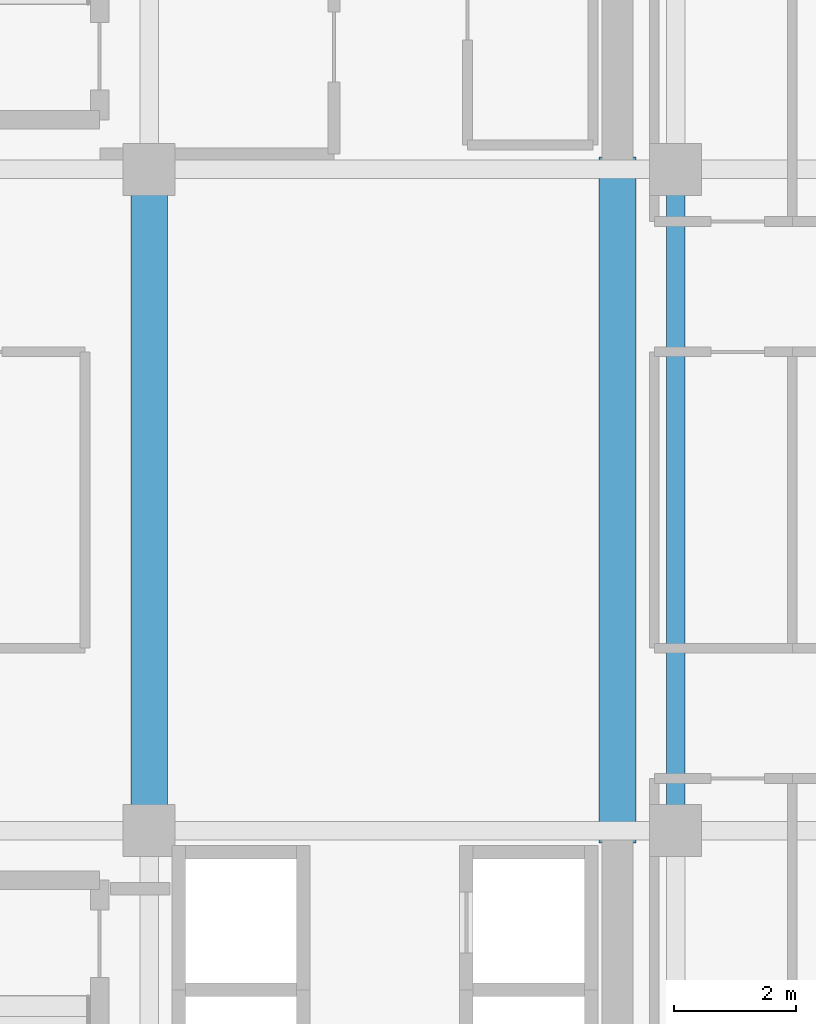
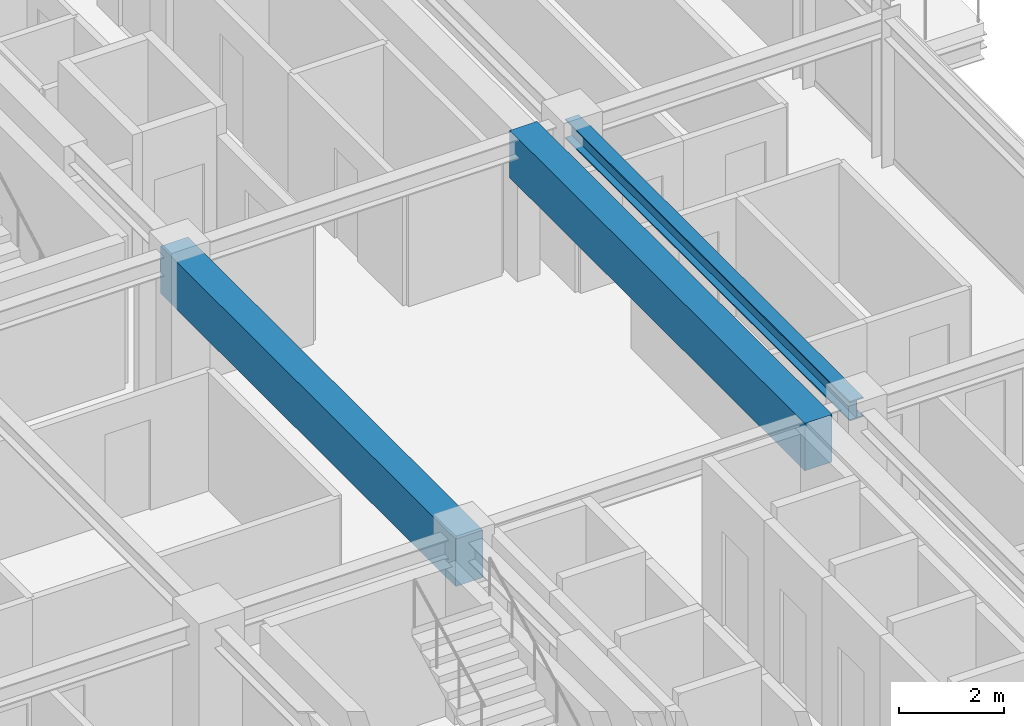
# One storey, part 16 of 34: 3 beams.
"""IFC4 building model written with IfcOpenShell, lengths in metres."""

from ifc_helpers import new_model, si_unit, direction, frame, origin, origin_2d, place, context, subcontext, project, spatial, rectangle, i_section, extrude, source, transform, mapped, material, material_profile, profile_set, type_object, element, save


model = new_model("IFC4")

# Units and contexts
model_context = context("Model", 3, precision=1e-05, world=origin(), true_north=direction((0.0, 1.0)))
body_context = subcontext(model_context, "Body", "Model", "MODEL_VIEW")
ifc_project = project(units=[si_unit("LENGTHUNIT", "METRE"), si_unit("AREAUNIT", "SQUARE_METRE"), si_unit("VOLUMEUNIT", "CUBIC_METRE"), si_unit("PLANEANGLEUNIT", "RADIAN"), si_unit("MASSUNIT", "GRAM", prefix="KILO")], contexts=[model_context])

# Site, building, storey
site_placement = place(None, origin())
site = spatial("IfcSite", under=ifc_project, at=site_placement, CompositionType="ELEMENT")
building_placement = place(site_placement, origin())
building = spatial("IfcBuilding", under=site, at=building_placement, Name="Nahalor Promenade Grand Hotel", CompositionType="ELEMENT")
storey_placement = place(building_placement, frame((0.0, 0.0, 208.60009765625)))
storey = spatial("IfcBuildingStorey", under=building, at=storey_placement, Name="L53", CompositionType="ELEMENT", Elevation=208.60009765625)

# Beams
ifc_material_1 = material(Name="Concrete B-60 (C50/60)", Category="concrete")
ifc_material_profile_1 = material_profile(ifc_material_1, rectangle(XDim=0.6, YDim=1.1, at=origin_2d()), Name="RC 600x1100")
ifc_profile_set_1 = profile_set([ifc_material_profile_1], Name="Concrete B-60 (C50/60)")
beam_type_1 = type_object("IfcBeamType", Name="Beam-Lintel-RC1100", PredefinedType="LINTEL", material=ifc_profile_set_1)
shared_shape_1 = source(origin(), body_context, "Body", "SweptSolid", [
    extrude(rectangle(XDim=0.6, YDim=1.1, at=origin_2d()), origin(), (0.0, 0.0, 1.0), 11.2001953125),
])
for number, where, z_axis, x_axis, name in (
    (1, (8.39990234375, -5.60009765625, 2.85986328125), (0.0, 1.0, 0.0), (-1.0, 0.0, 0.0), "BM-L53-LINT-W"),
    (2, (16.050048828125, -5.60009765625, 2.85986328125), (0.0, 1.0, 0.0), (-1.0, 0.0, 0.0), "BM-L53-LINT-E"),
):
    element("IfcBeam", number, at=place(storey_placement, frame(where, z_axis=z_axis, x_axis=x_axis)), inside=storey, type_object=beam_type_1, Name=name, PredefinedType="LINTEL", context=body_context, shape_type="MappedRepresentation", body=[
        mapped(shared_shape_1, transform((0.0, 0.0, 0.0), scale=1.0)),
    ])
ifc_material_2 = material(Name="Steel S355JR", Category="steel")
ifc_material_profile_2 = material_profile(ifc_material_2, i_section(OverallWidth=0.3, OverallDepth=0.45, WebThickness=0.014, FlangeThickness=0.026, at=origin_2d()), Name="HEB 450")
ifc_profile_set_2 = profile_set([ifc_material_profile_2], Name="Steel S355JR")
beam_type_2 = type_object("IfcBeamType", Name="Beam-Girder-HEB450", PredefinedType="BEAM", material=ifc_profile_set_2)
shared_shape_2 = source(origin(), body_context, "Body", "SweptSolid", [
    extrude(i_section(OverallWidth=0.3, OverallDepth=0.45, WebThickness=0.014, FlangeThickness=0.026, at=origin_2d()), origin(), (0.0, 0.0, 1.0), 10.7998046875),
])
beam_placement = place(storey_placement, frame((17.0, -5.39990234375, 3.184814453125), z_axis=(0.0, 1.0, 0.0), x_axis=(-1.0, 0.0, 0.0)))
element("IfcBeam", 3, at=beam_placement, inside=storey, type_object=beam_type_2, Name="BM-L53-GY-5-2", PredefinedType="BEAM", context=body_context, shape_type="MappedRepresentation", body=[
    mapped(shared_shape_2, transform((0.0, 0.0, 0.0), scale=1.0)),
])

save(model, "model.ifc")
